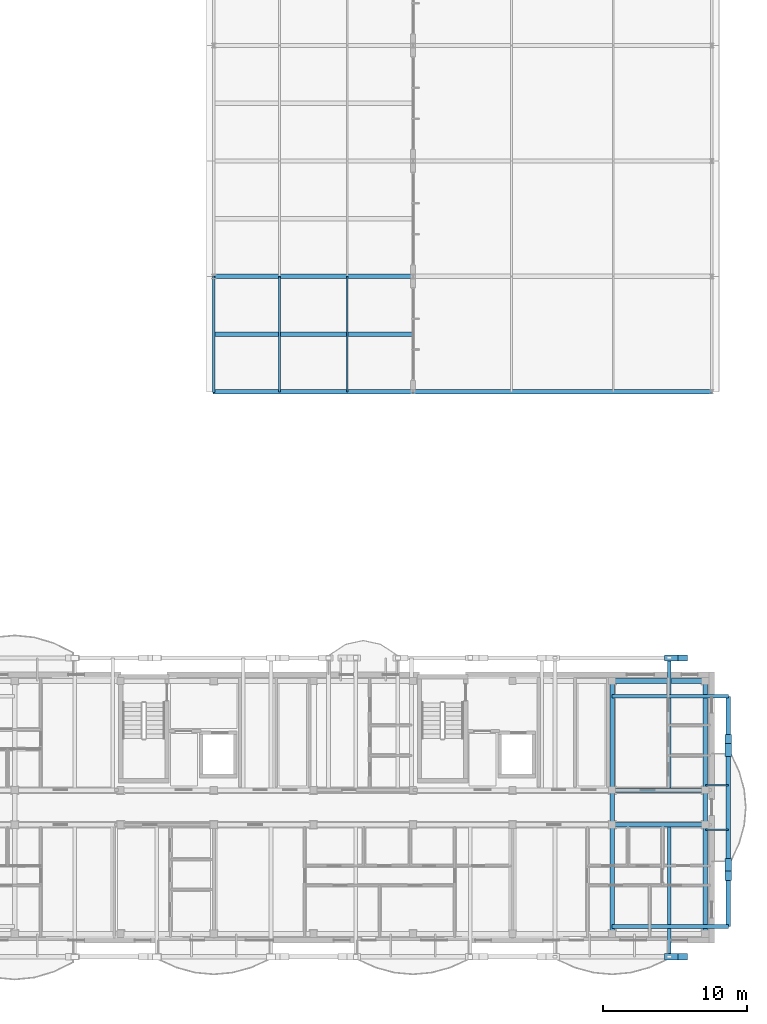
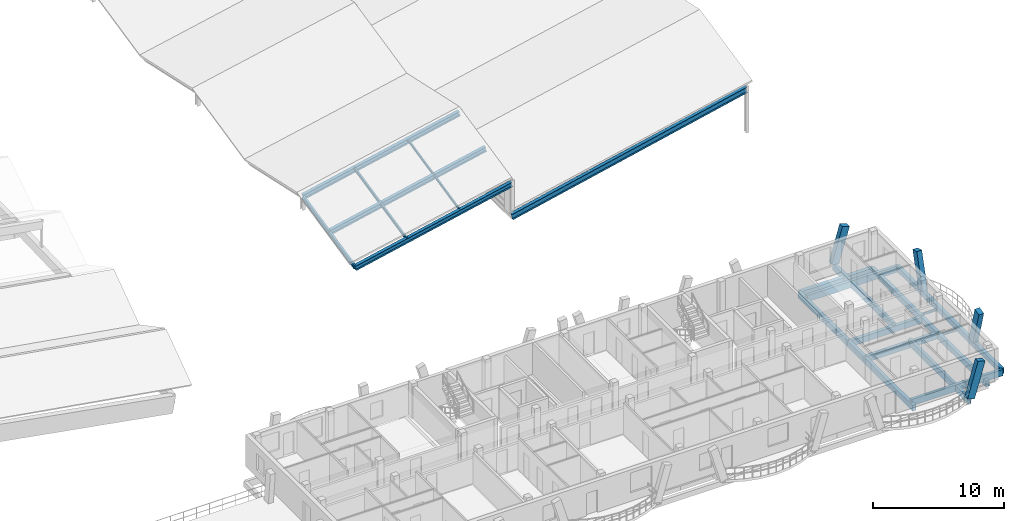
# One storey, part 41 of 109: 20 beams, 7 members.
"""IFC4 building model written with IfcOpenShell, lengths in metres."""

from ifc_helpers import new_model, si_unit, direction, frame, origin, origin_2d, place, context, subcontext, project, spatial, rectangle, i_section, extrude, material, material_profile, profile_set, type_object, element, save


model = new_model("IFC4")

# Units and contexts
model_context = context("Model", 3, precision=1e-05, world=origin(), true_north=direction((0.0, 1.0)))
body_context = subcontext(model_context, "Body", "Model", "MODEL_VIEW")
ifc_project = project(units=[si_unit("LENGTHUNIT", "METRE"), si_unit("AREAUNIT", "SQUARE_METRE"), si_unit("VOLUMEUNIT", "CUBIC_METRE"), si_unit("PLANEANGLEUNIT", "RADIAN"), si_unit("MASSUNIT", "GRAM", prefix="KILO")], contexts=[model_context])

# Site, building, storey
site_placement = place(None, origin())
site = spatial("IfcSite", under=ifc_project, at=site_placement, CompositionType="ELEMENT")
building_placement = place(site_placement, origin())
building = spatial("IfcBuilding", under=site, at=building_placement, Name="Zavelmont Quarter", CompositionType="ELEMENT")
storey_placement = place(building_placement, frame((0.0, 0.0, 8.0)))
storey = spatial("IfcBuildingStorey", under=building, at=storey_placement, Name="L02", CompositionType="ELEMENT", Elevation=8.0)

# Beams
ifc_material_1 = material(Name="Concrete C35/45", Category="concrete")
ifc_material_profile_1 = material_profile(ifc_material_1, rectangle(XDim=0.35009765625, YDim=0.60009765625, at=origin_2d()), Name="RC350X600")
ifc_profile_set_1 = profile_set([ifc_material_profile_1], Name="Concrete C35/45")
beam_type_1 = type_object("IfcBeamType", Name="BM01", PredefinedType="SPANDREL", material=ifc_profile_set_1)
beam_1_placement = place(storey_placement, frame((161.10009765625, 17.9599609375, -0.570068359375), z_axis=(1.0, 0.0, 0.0), x_axis=(0.0, 1.0, 0.0)))
element("IfcBeam", 1, at=beam_1_placement, inside=storey, type_object=beam_type_1, Name="L02 beam BM01 24/D to 25/D", PredefinedType="SPANDREL", context=body_context, shape_type="SweptSolid", body=[
    extrude(rectangle(XDim=0.35009765625, YDim=0.60009765625, at=origin_2d()), origin(), (0.0, 0.0, 1.0), 6.4599609375),
])
ifc_material_profile_2 = material_profile(ifc_material_1, rectangle(XDim=0.300048828125, YDim=0.550048828125, at=origin_2d()), Name="RC300X550")
ifc_profile_set_2 = profile_set([ifc_material_profile_2], Name="Concrete C35/45")
beam_type_2 = type_object("IfcBeamType", Name="BM02", PredefinedType="SPANDREL", material=ifc_profile_set_2)
for number, where, z_axis, x_axis, name in (
    (2, (161.10009765625, 8.0, -0.544921875), (1.0, 0.0, 0.0), (0.0, 1.0, 0.0), "L02 beam BM02 24/B to 25/B"),
    (3, (161.10009765625, 10.39990234375, -0.544921875), (1.0, 0.0, 0.0), (0.0, 1.0, 0.0), "L02 beam BM02 24/C to 25/C"),
):
    element("IfcBeam", number, at=place(storey_placement, frame(where, z_axis=z_axis, x_axis=x_axis)), inside=storey, type_object=beam_type_2, Name=name, PredefinedType="SPANDREL", context=body_context, shape_type="SweptSolid", body=[
        extrude(rectangle(XDim=0.300048828125, YDim=0.550048828125, at=origin_2d()), origin(), (0.0, 0.0, 1.0), 6.4599609375),
    ])
beam_2_placement = place(storey_placement, frame((161.10009765625, 0.43994140625, -0.544921875), z_axis=(0.0, 1.0, 0.0), x_axis=(-1.0, 0.0, 0.0)))
element("IfcBeam", 4, at=beam_2_placement, inside=storey, type_object=beam_type_2, Name="L02 beam BM02 24/A to 24/B", PredefinedType="SPANDREL", context=body_context, shape_type="SweptSolid", body=[
    extrude(rectangle(XDim=0.300048828125, YDim=0.550048828125, at=origin_2d()), origin(), (0.0, 0.0, 1.0), 7.56005859375),
])
beam_3_placement = place(storey_placement, frame((161.10009765625, 8.0, -0.544921875), z_axis=(0.0, 1.0, 0.0), x_axis=(-1.0, 0.0, 0.0)))
element("IfcBeam", 5, at=beam_3_placement, inside=storey, type_object=beam_type_2, Name="L02 beam BM02 24/B to 24/C", PredefinedType="SPANDREL", context=body_context, shape_type="SweptSolid", body=[
    extrude(rectangle(XDim=0.300048828125, YDim=0.550048828125, at=origin_2d()), origin(), (0.0, 0.0, 1.0), 2.39990234375),
])
for number, where, z_axis, x_axis, name in (
    (6, (161.10009765625, 10.39990234375, -0.544921875), (0.0, 1.0, 0.0), (-1.0, 0.0, 0.0), "L02 beam BM02 24/C to 24/D"),
    (7, (167.56005859375, 0.43994140625, -0.544921875), (0.0, 1.0, 0.0), (-1.0, 0.0, 0.0), "L02 beam BM02 25/A to 25/B"),
):
    element("IfcBeam", number, at=place(storey_placement, frame(where, z_axis=z_axis, x_axis=x_axis)), inside=storey, type_object=beam_type_2, Name=name, PredefinedType="SPANDREL", context=body_context, shape_type="SweptSolid", body=[
        extrude(rectangle(XDim=0.300048828125, YDim=0.550048828125, at=origin_2d()), origin(), (0.0, 0.0, 1.0), 7.56005859375),
    ])
beam_4_placement = place(storey_placement, frame((167.56005859375, 8.0, -0.544921875), z_axis=(0.0, 1.0, 0.0), x_axis=(-1.0, 0.0, 0.0)))
element("IfcBeam", 8, at=beam_4_placement, inside=storey, type_object=beam_type_2, Name="L02 beam BM02 25/B to 25/C", PredefinedType="SPANDREL", context=body_context, shape_type="SweptSolid", body=[
    extrude(rectangle(XDim=0.300048828125, YDim=0.550048828125, at=origin_2d()), origin(), (0.0, 0.0, 1.0), 2.39990234375),
])
beam_5_placement = place(storey_placement, frame((167.56005859375, 10.39990234375, -0.544921875), z_axis=(0.0, 1.0, 0.0), x_axis=(-1.0, 0.0, 0.0)))
element("IfcBeam", 9, at=beam_5_placement, inside=storey, type_object=beam_type_2, Name="L02 beam BM02 25/C to 25/D", PredefinedType="SPANDREL", context=body_context, shape_type="SweptSolid", body=[
    extrude(rectangle(XDim=0.300048828125, YDim=0.550048828125, at=origin_2d()), origin(), (0.0, 0.0, 1.0), 7.56005859375),
])
ifc_material_profile_3 = material_profile(ifc_material_1, rectangle(XDim=0.300048828125, YDim=0.5, at=origin_2d()), Name="RC300X500")
ifc_profile_set_3 = profile_set([ifc_material_profile_3], Name="Concrete C35/45")
beam_type_3 = type_object("IfcBeamType", Name="BM03", PredefinedType="BEAM", material=ifc_profile_set_3)
beam_6_placement = place(storey_placement, frame((169.14990234375, 0.949951171875, -0.25), z_axis=(0.0, 1.0, 0.0), x_axis=(-1.0, 0.0, 0.0)))
element("IfcBeam", 10, at=beam_6_placement, inside=storey, type_object=beam_type_3, Name="L02 beam BM03 25/A to 25/D", PredefinedType="BEAM", context=body_context, shape_type="SweptSolid", body=[
    extrude(rectangle(XDim=0.300048828125, YDim=0.5, at=origin_2d()), origin(), (0.0, 0.0, 1.0), 15.949951171875),
])
ifc_material_2 = material(Name="Steel S355", Category="steel")
ifc_material_profile_4 = material_profile(ifc_material_2, i_section(OverallWidth=0.300048828125, OverallDepth=0.43994140625, WebThickness=0.011474609375, FlangeThickness=0.02099609375, at=origin_2d()), Name="HEA 450")
ifc_profile_set_4 = profile_set([ifc_material_profile_4], Name="Steel S355")
beam_type_4 = type_object("IfcBeamType", Name="BM10", PredefinedType="BEAM", material=ifc_profile_set_4)
for number, where, z_axis, x_axis, name in (
    (11, (133.5, 38.0, -0.580078125), (0.977176519947, 0.0, 0.212428926618), (0.0, 1.0, 0.0), "L02 beam BM10 20/G to 22/G"),
    (12, (133.5, 46.0, 1.169921875), (0.977176519947, 0.0, 0.212428926618), (0.0, 1.0, 0.0), "L02 beam BM10 20/H to 22/H"),
):
    element("IfcBeam", number, at=place(storey_placement, frame(where, z_axis=z_axis, x_axis=x_axis)), inside=storey, type_object=beam_type_4, Name=name, PredefinedType="BEAM", context=body_context, shape_type="SweptSolid", body=[
        extrude(i_section(OverallWidth=0.300048828125, OverallDepth=0.43994140625, WebThickness=0.011474609375, FlangeThickness=0.02099609375, at=origin_2d()), origin(), (0.0, 0.0, 1.0), 14.122314453125),
    ])
ifc_material_profile_5 = material_profile(ifc_material_2, i_section(OverallWidth=0.300048828125, OverallDepth=0.5400390625, WebThickness=0.012451171875, FlangeThickness=0.02392578125, at=origin_2d()), Name="HEA 550")
ifc_profile_set_5 = profile_set([ifc_material_profile_5], Name="Steel S355")
beam_type_5 = type_object("IfcBeamType", Name="BM11", PredefinedType="BEAM", material=ifc_profile_set_5)
beam_7_placement = place(storey_placement, frame((147.300048828125, 38.0, -0.6298828125), z_axis=(0.97593670434, 0.0, 0.21805400506), x_axis=(0.0, 1.0, 0.0)))
element("IfcBeam", 13, at=beam_7_placement, inside=storey, type_object=beam_type_5, Name="L02 beam BM11 22/G to 25/G", PredefinedType="BEAM", context=body_context, shape_type="SweptSolid", body=[
    extrude(i_section(OverallWidth=0.300048828125, OverallDepth=0.5400390625, WebThickness=0.012451171875, FlangeThickness=0.02392578125, at=origin_2d()), origin(), (0.0, 0.0, 1.0), 21.21044921875),
])
ifc_material_profile_6 = material_profile(ifc_material_2, i_section(OverallWidth=0.169921875, OverallDepth=0.360107421875, WebThickness=0.008056640625, FlangeThickness=0.0126953125, at=origin_2d()), Name="IPE 360")
ifc_profile_set_6 = profile_set([ifc_material_profile_6], Name="Steel S355")
beam_type_6 = type_object("IfcBeamType", Name="BM13", PredefinedType="BEAM", material=ifc_profile_set_6)
beam_8_placement = place(storey_placement, frame((133.5, 38.0, -0.5400390625), z_axis=(0.0, 0.976900017396, 0.213696878805), x_axis=(-1.0, 0.0, 0.0)))
element("IfcBeam", 14, at=beam_8_placement, inside=storey, type_object=beam_type_6, Name="L02 beam BM13 20/G to 20/H", PredefinedType="BEAM", context=body_context, shape_type="SweptSolid", body=[
    extrude(i_section(OverallWidth=0.169921875, OverallDepth=0.360107421875, WebThickness=0.008056640625, FlangeThickness=0.0126953125, at=origin_2d()), origin(), (0.0, 0.0, 1.0), 8.189208984375),
])
ifc_material_profile_7 = material_profile(ifc_material_2, i_section(OverallWidth=0.110107421875, OverallDepth=0.219970703125, WebThickness=0.005859375, FlangeThickness=0.00927734375, at=origin_2d()), Name="IPE 220")
ifc_profile_set_7 = profile_set([ifc_material_profile_7], Name="Steel S355")
beam_type_7 = type_object("IfcBeamType", Name="BM15", PredefinedType="JOIST", material=ifc_profile_set_7)
for number, where, z_axis, x_axis, name in (
    (15, (167.56005859375, 7.64990234375, -0.382080078125), (1.0, 0.0, 0.0), (0.0, 1.0, 0.0), "L02 beam BM15 25/B to 25/B"),
    (16, (167.56005859375, 10.75, -0.382080078125), (1.0, 0.0, 0.0), (0.0, 1.0, 0.0), "L02 beam BM15 25/C to 25/C"),
):
    element("IfcBeam", number, at=place(storey_placement, frame(where, z_axis=z_axis, x_axis=x_axis)), inside=storey, type_object=beam_type_7, Name=name, PredefinedType="JOIST", context=body_context, shape_type="SweptSolid", body=[
        extrude(i_section(OverallWidth=0.110107421875, OverallDepth=0.219970703125, WebThickness=0.005859375, FlangeThickness=0.00927734375, at=origin_2d()), origin(), (0.0, 0.0, 1.0), 1.58984375),
    ])
ifc_material_3 = material(Name="Concrete C40/50", Category="concrete")
ifc_material_profile_8 = material_profile(ifc_material_3, rectangle(XDim=0.25, YDim=0.60009765625, at=origin_2d()), Name="RC250X600")
ifc_profile_set_8 = profile_set([ifc_material_profile_8], Name="Concrete C40/50")
beam_type_8 = type_object("IfcBeamType", Name="BM18", PredefinedType="BEAM", material=ifc_profile_set_8)
beam_9_placement = place(storey_placement, frame((165.05859375, 8.0, -0.300048828125), z_axis=(0.0, -1.0, 0.0), x_axis=(1.0, 0.0, 0.0)))
element("IfcBeam", 17, at=beam_9_placement, inside=storey, type_object=beam_type_8, Name="L02 beam BM18 25/B to 25/A", PredefinedType="BEAM", context=body_context, shape_type="SweptSolid", body=[
    extrude(rectangle(XDim=0.25, YDim=0.60009765625, at=origin_2d()), origin(), (0.0, 0.0, 1.0), 9.14990234375),
])
beam_10_placement = place(storey_placement, frame((165.05859375, 10.39990234375, -0.300048828125), z_axis=(0.0, 1.0, 0.0), x_axis=(-1.0, 0.0, 0.0)))
element("IfcBeam", 18, at=beam_10_placement, inside=storey, type_object=beam_type_8, Name="L02 beam BM18 25/C to 25/D", PredefinedType="BEAM", context=body_context, shape_type="SweptSolid", body=[
    extrude(rectangle(XDim=0.25, YDim=0.60009765625, at=origin_2d()), origin(), (0.0, 0.0, 1.0), 9.150146484375),
])
for number, where, z_axis, x_axis, name in (
    (19, (161.10009765625, 0.949951171875, -0.300048828125), (1.0, 0.0, 0.0), (0.0, 1.0, 0.0), "L02 beam BM18 24/A to 25/A"),
    (20, (161.10009765625, 16.89990234375, -0.300048828125), (1.0, 0.0, 0.0), (0.0, 1.0, 0.0), "L02 beam BM18 24/D to 25/D"),
):
    element("IfcBeam", number, at=place(storey_placement, frame(where, z_axis=z_axis, x_axis=x_axis)), inside=storey, type_object=beam_type_8, Name=name, PredefinedType="BEAM", context=body_context, shape_type="SweptSolid", body=[
        extrude(rectangle(XDim=0.25, YDim=0.60009765625, at=origin_2d()), origin(), (0.0, 0.0, 1.0), 8.0498046875),
    ])

# Members
ifc_material_profile_9 = material_profile(ifc_material_2, i_section(OverallWidth=0.135009765625, OverallDepth=0.27001953125, WebThickness=0.006591796875, FlangeThickness=0.01025390625, at=origin_2d()), Name="IPE 270")
ifc_profile_set_9 = profile_set([ifc_material_profile_9], Name="Steel S355")
member_type_1 = type_object("IfcMemberType", Name="PR01", PredefinedType="PURLIN", material=ifc_profile_set_9)
member_1_placement = place(storey_placement, frame((138.053955078125, 38.0, 0.510009765625), z_axis=(0.0, 0.976900017396, 0.213696878805), x_axis=(-1.0, 0.0, 0.0)))
element("IfcMember", 21, at=member_1_placement, inside=storey, type_object=member_type_1, Name="L02 member PR01 21/G to 21/H", PredefinedType="PURLIN", context=body_context, shape_type="SweptSolid", body=[
    extrude(i_section(OverallWidth=0.135009765625, OverallDepth=0.27001953125, WebThickness=0.006591796875, FlangeThickness=0.01025390625, at=origin_2d()), origin(), (0.0, 0.0, 1.0), 8.189208984375),
])
ifc_material_profile_10 = material_profile(ifc_material_2, i_section(OverallWidth=0.110107421875, OverallDepth=0.219970703125, WebThickness=0.005859375, FlangeThickness=0.00927734375, at=origin_2d()), Name="IPE 220")
ifc_profile_set_10 = profile_set([ifc_material_profile_10], Name="Steel S355")
member_type_2 = type_object("IfcMemberType", Name="PR02", PredefinedType="PURLIN", material=ifc_profile_set_10)
member_2_placement = place(storey_placement, frame((142.74609375, 38.0, 1.530029296875), z_axis=(0.0, 0.976900017396, 0.213696878805), x_axis=(-1.0, 0.0, 0.0)))
element("IfcMember", 22, at=member_2_placement, inside=storey, type_object=member_type_2, Name="L02 member PR02 21/G to 21/H", PredefinedType="PURLIN", context=body_context, shape_type="SweptSolid", body=[
    extrude(i_section(OverallWidth=0.110107421875, OverallDepth=0.219970703125, WebThickness=0.005859375, FlangeThickness=0.00927734375, at=origin_2d()), origin(), (0.0, 0.0, 1.0), 8.189208984375),
])
ifc_material_profile_11 = material_profile(ifc_material_2, i_section(OverallWidth=0.300048828125, OverallDepth=0.43994140625, WebThickness=0.011474609375, FlangeThickness=0.02099609375, at=origin_2d()), Name="HEA 450")
ifc_profile_set_11 = profile_set([ifc_material_profile_11], Name="Steel S355")
member_type_3 = type_object("IfcMemberType", Name="RFM1", PredefinedType="RAFTER", material=ifc_profile_set_11)
member_3_placement = place(storey_placement, frame((133.5, 42.0, 0.27490234375), z_axis=(0.977176519947, 0.0, 0.212428926618), x_axis=(0.0, 1.0, 0.0)))
element("IfcMember", 23, at=member_3_placement, inside=storey, type_object=member_type_3, Name="L02 member RFM1 20/G to 22/G", PredefinedType="RAFTER", context=body_context, shape_type="SweptSolid", body=[
    extrude(i_section(OverallWidth=0.300048828125, OverallDepth=0.43994140625, WebThickness=0.011474609375, FlangeThickness=0.02099609375, at=origin_2d()), origin(), (0.0, 0.0, 1.0), 14.122314453125),
])
ifc_material_4 = material(Name="White architectural precast concrete C40/50", Category="concrete")
ifc_material_profile_12 = material_profile(ifc_material_4, rectangle(XDim=0.43994140625, YDim=0.659912109375, at=origin_2d()), Name="PCR320X480")
ifc_profile_set_12 = profile_set([ifc_material_profile_12], Name="White architectural precast concrete C40/50")
member_type_4 = type_object("IfcMemberType", Name="VR01M", PredefinedType="CHORD", material=ifc_profile_set_12)
for number, where, z_axis, x_axis, name in (
    (24, (165.05859375, -1.14990234375, 0.0), (0.280075936031, 0.0, 0.959977848732), (0.0, 1.0, 0.0), "L02 member VR01M 25/A to 25/A"),
    (25, (165.05859375, 19.550048828125, 0.0), (0.280075936031, 0.0, 0.959977848732), (0.0, 1.0, 0.0), "L02 member VR01M 25/D to 25/D"),
):
    element("IfcMember", number, at=place(storey_placement, frame(where, z_axis=z_axis, x_axis=x_axis)), inside=storey, type_object=member_type_4, Name=name, PredefinedType="CHORD", context=body_context, shape_type="SweptSolid", body=[
        extrude(rectangle(XDim=0.43994140625, YDim=0.659912109375, at=origin_2d()), origin(), (0.0, 0.0, 1.0), 3.333251953125),
    ])
for number, where, z_axis, x_axis, name in (
    (26, (169.14990234375, 5.35498046875, 0.0), (0.0, -0.269019334458, 0.963134776492), (1.0, 0.0, 0.0), "L02 member VR01M 25/B to 25/B"),
    (27, (169.14990234375, 13.044921875, 0.0), (0.0, 0.269019334458, 0.963134776492), (-1.0, 0.0, 0.0), "L02 member VR01M 25/C to 25/C"),
):
    element("IfcMember", number, at=place(storey_placement, frame(where, z_axis=z_axis, x_axis=x_axis)), inside=storey, type_object=member_type_4, Name=name, PredefinedType="CHORD", context=body_context, shape_type="SweptSolid", body=[
        extrude(rectangle(XDim=0.43994140625, YDim=0.659912109375, at=origin_2d()), origin(), (0.0, 0.0, 1.0), 3.322509765625),
    ])

save(model, "model.ifc")
